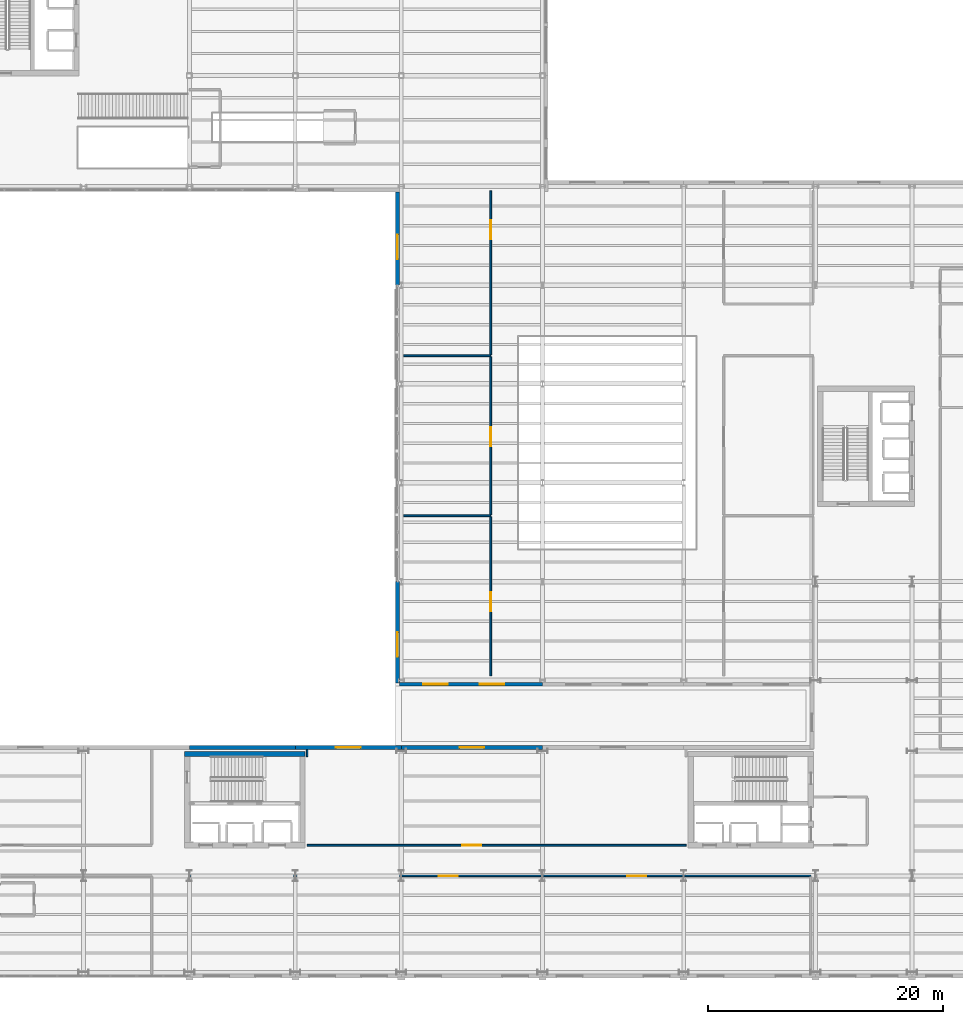
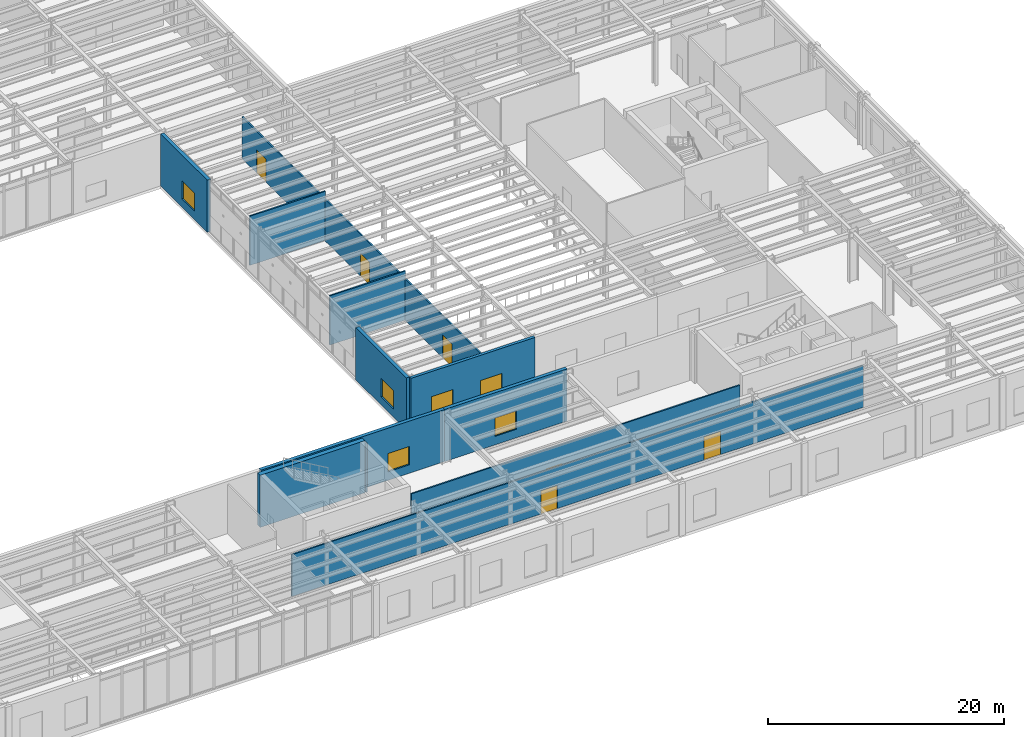
# One storey, part 77 of 98: 15 walls, 6 doors, 6 windows, 12 openings.
"""IFC4 building model written with IfcOpenShell, lengths in metres."""

from ifc_helpers import new_model, si_unit, direction, frame, frame_2d, origin, place, context, subcontext, project, spatial, rectangle, extrude, material, layer, layer_set, type_object, element, fill, save


model = new_model("IFC4")

# Units and contexts
model_context = context("Model", 3, precision=1e-05, world=origin(), true_north=direction((0.0, 1.0)))
body_context = subcontext(model_context, "Body", "Model", "MODEL_VIEW")
ifc_project = project(units=[si_unit("LENGTHUNIT", "METRE"), si_unit("AREAUNIT", "SQUARE_METRE"), si_unit("VOLUMEUNIT", "CUBIC_METRE"), si_unit("PLANEANGLEUNIT", "RADIAN"), si_unit("MASSUNIT", "GRAM", prefix="KILO")], contexts=[model_context])

# Site, building, storey
site_placement = place(None, origin())
site = spatial("IfcSite", under=ifc_project, at=site_placement, CompositionType="ELEMENT")
building_placement = place(site_placement, origin())
building = spatial("IfcBuilding", under=site, at=building_placement, Name="Sollismere Congress Hotel", CompositionType="ELEMENT")
storey_placement = place(building_placement, frame((0.0, 0.0, 5.39990234375)))
storey = spatial("IfcBuildingStorey", under=building, at=storey_placement, Name="L01", CompositionType="ELEMENT", Elevation=5.39990234375)

# Wall, openings, windows
ifc_material_1 = material(Name="Colorado Buff Sandstone Rainscreen on Insulated Backup", Category="masonry")
ifc_layer_1 = layer(ifc_material_1, 0.284912109375, Name="Colorado Buff Sandstone Rainscreen on Insulated Backup")
ifc_layer_set_1 = layer_set([ifc_layer_1], Name="Colorado Buff Sandstone Rainscreen on Insulated Backup")
wall_type_1 = type_object("IfcWallType", Name="WL-EXT285", PredefinedType="STANDARD", material=ifc_layer_set_1)
wall_1_placement = place(storey_placement, frame((111.85009765625, 24.489990234375, 0.0), z_axis=(0.0, 0.0, 1.0), x_axis=(1.0, 0.0, 0.0)))
wall_1 = element("IfcWall", 1, at=wall_1_placement, inside=storey, type_object=wall_type_1, Name="Exterior wall EW-L01-207", PredefinedType="STANDARD", context=body_context, shape_type="SweptSolid", body=[
    extrude(rectangle(XDim=12.14990234375, YDim=0.284912109375, at=frame_2d((6.074951171875, 0.0))), origin(), (0.0, 0.0, 1.0), 5.400146484375),
])
opening_1_placement = place(wall_1_placement, frame((2.0, 0.0, 0.89990234375)))
opening_1 = element("IfcOpeningElement", 2, at=opening_1_placement, cuts=wall_1, Name="Opening W-L01-172", PredefinedType="OPENING", context=body_context, shape_type="SweptSolid", body=[
    extrude(rectangle(XDim=2.10009765625, YDim=1.89990234375, at=frame_2d((1.050048828125, 0.949951171875))), frame((0.0, 0.15234375, 0.0), z_axis=(0.0, -1.0, 0.0), x_axis=(1.0, 0.0, 0.0)), (0.0, 0.0, 1.0), 0.304931640625),
])
opening_2_placement = place(wall_1_placement, frame((6.800048828125, 0.0, 0.89990234375)))
opening_2 = element("IfcOpeningElement", 3, at=opening_2_placement, cuts=wall_1, Name="Opening W-L01-173", PredefinedType="OPENING", context=body_context, shape_type="SweptSolid", body=[
    extrude(rectangle(XDim=2.10009765625, YDim=1.89990234375, at=frame_2d((1.050048828125, 0.949951171875))), frame((0.0, 0.15234375, 0.0), z_axis=(0.0, -1.0, 0.0), x_axis=(1.0, 0.0, 0.0)), (0.0, 0.0, 1.0), 0.304931640625),
])
ifc_material_2 = material(Name="Thermally Broken Bronze Aluminum & Low-E Glass", Category="aluminium")
window_type = type_object("IfcWindowType", Name="WN-P210x190", PartitioningType="SINGLE_PANEL", PredefinedType="WINDOW", material=ifc_material_2)
window_1_placement = place(opening_1_placement, origin())
window_1 = element("IfcWindow", 4, at=window_1_placement, inside=storey, type_object=window_type, Name="WIN-W-L01-172", OverallHeight=1.89990234375, OverallWidth=2.10009765625, PartitioningType="SINGLE_PANEL", PredefinedType="WINDOW", context=body_context, shape_type="SweptSolid", body=[
    extrude(rectangle(XDim=2.10009765625, YDim=1.89990234375, at=frame_2d((1.050048828125, 0.949951171875))), frame((0.0, 0.030029296875, 0.0), z_axis=(0.0, -1.0, 0.0), x_axis=(1.0, 0.0, 0.0)), (0.0, 0.0, 1.0), 0.06005859375),
])
fill(opening_1, window_1)
window_2_placement = place(opening_2_placement, origin())
window_2 = element("IfcWindow", 5, at=window_2_placement, inside=storey, type_object=window_type, Name="WIN-W-L01-173", OverallHeight=1.89990234375, OverallWidth=2.10009765625, PartitioningType="SINGLE_PANEL", PredefinedType="WINDOW", context=body_context, shape_type="SweptSolid", body=[
    extrude(rectangle(XDim=2.10009765625, YDim=1.89990234375, at=frame_2d((1.050048828125, 0.949951171875))), frame((0.0, 0.030029296875, 0.0), z_axis=(0.0, -1.0, 0.0), x_axis=(1.0, 0.0, 0.0)), (0.0, 0.0, 1.0), 0.06005859375),
])
fill(opening_2, window_2)

# Wall, opening, window
ifc_material_3 = material(Name="Colorado Buff Sandstone and Limestone Backup C40/50", Category="masonry")
ifc_layer_2 = layer(ifc_material_3, 0.340087890625, Name="Colorado Buff Sandstone and Limestone Backup C40/50")
ifc_layer_set_2 = layer_set([ifc_layer_2], Name="Colorado Buff Sandstone and Limestone Backup C40/50")
wall_type_2 = type_object("IfcWallType", Name="WL-EXT340", PredefinedType="STANDARD", material=ifc_layer_set_2)
wall_2_placement = place(storey_placement, frame((111.68994140625, 24.60009765625, 0.0), z_axis=(0.0, 0.0, 1.0), x_axis=(0.0, 1.0, 0.0)))
wall_2 = element("IfcWall", 6, at=wall_2_placement, inside=storey, type_object=wall_type_2, Name="Exterior wall EW-L01-205", PredefinedType="STANDARD", context=body_context, shape_type="SweptSolid", body=[
    extrude(rectangle(XDim=8.599853515625, YDim=0.340087890625, at=frame_2d((4.2998046875, 0.0))), origin(), (0.0, 0.0, 1.0), 5.400146484375),
])
opening_3_placement = place(wall_2_placement, frame((2.199951171875, 0.0, 0.85009765625)))
opening_3 = element("IfcOpeningElement", 7, at=opening_3_placement, cuts=wall_2, Name="Opening W-L01-170", PredefinedType="OPENING", context=body_context, shape_type="SweptSolid", body=[
    extrude(rectangle(XDim=2.10009765625, YDim=1.89990234375, at=frame_2d((1.050048828125, 0.949951171875))), frame((0.0, 0.179931640625, 0.0), z_axis=(0.0, -1.0, 0.0), x_axis=(1.0, 0.0, 0.0)), (0.0, 0.0, 1.0), 0.360107421875),
])
window_3_placement = place(opening_3_placement, origin())
window_3 = element("IfcWindow", 8, at=window_3_placement, inside=storey, type_object=window_type, Name="WIN-W-L01-170", OverallHeight=1.89990234375, OverallWidth=2.10009765625, PartitioningType="SINGLE_PANEL", PredefinedType="WINDOW", context=body_context, shape_type="SweptSolid", body=[
    extrude(rectangle(XDim=2.10009765625, YDim=1.89990234375, at=frame_2d((1.050048828125, 0.949951171875))), frame((0.0, 0.030029296875, 0.0), z_axis=(0.0, -1.0, 0.0), x_axis=(1.0, 0.0, 0.0)), (0.0, 0.0, 1.0), 0.06005859375),
])
fill(opening_3, window_3)

wall_3_placement = place(storey_placement, frame((111.68994140625, 58.39990234375, 0.0), z_axis=(0.0, 0.0, 1.0), x_axis=(0.0, 1.0, 0.0)))
wall_3 = element("IfcWall", 9, at=wall_3_placement, inside=storey, type_object=wall_type_2, Name="Exterior wall EW-L01-206", PredefinedType="STANDARD", context=body_context, shape_type="SweptSolid", body=[
    extrude(rectangle(XDim=7.918212890625, YDim=0.340087890625, at=frame_2d((3.958984375, 0.0))), origin(), (0.0, 0.0, 1.0), 5.400146484375),
])
opening_4_placement = place(wall_3_placement, frame((2.199951171875, 0.0, 0.85009765625)))
opening_4 = element("IfcOpeningElement", 10, at=opening_4_placement, cuts=wall_3, Name="Opening W-L01-171", PredefinedType="OPENING", context=body_context, shape_type="SweptSolid", body=[
    extrude(rectangle(XDim=2.10009765625, YDim=1.89990234375, at=frame_2d((1.050048828125, 0.949951171875))), frame((0.0, 0.179931640625, 0.0), z_axis=(0.0, -1.0, 0.0), x_axis=(1.0, 0.0, 0.0)), (0.0, 0.0, 1.0), 0.360107421875),
])
window_4_placement = place(opening_4_placement, origin())
window_4 = element("IfcWindow", 11, at=window_4_placement, inside=storey, type_object=window_type, Name="WIN-W-L01-171", OverallHeight=1.89990234375, OverallWidth=2.10009765625, PartitioningType="SINGLE_PANEL", PredefinedType="WINDOW", context=body_context, shape_type="SweptSolid", body=[
    extrude(rectangle(XDim=2.10009765625, YDim=1.89990234375, at=frame_2d((1.050048828125, 0.949951171875))), frame((0.0, 0.030029296875, 0.0), z_axis=(0.0, -1.0, 0.0), x_axis=(1.0, 0.0, 0.0)), (0.0, 0.0, 1.0), 0.06005859375),
])
fill(opening_4, window_4)

# Wall
wall_4_placement = place(storey_placement, frame((103.0, 19.110107421875, 0.0), z_axis=(0.0, 0.0, 1.0), x_axis=(-1.0, 0.0, 0.0)))
element("IfcWall", 12, at=wall_4_placement, inside=storey, type_object=wall_type_2, Name="Exterior wall EW-L01-315", PredefinedType="STANDARD", context=body_context, shape_type="SweptSolid", body=[
    extrude(rectangle(XDim=9.0, YDim=0.340087890625, at=frame_2d((4.5, 0.0))), origin(), (0.0, 0.0, 1.0), 5.400146484375),
])

# Wall, opening, window
wall_5_placement = place(storey_placement, frame((112.0, 19.110107421875, 0.0), z_axis=(0.0, 0.0, 1.0), x_axis=(-1.0, 0.0, 0.0)))
wall_5 = element("IfcWall", 13, at=wall_5_placement, inside=storey, type_object=wall_type_2, Name="Exterior wall EW-L01-316", PredefinedType="STANDARD", context=body_context, shape_type="SweptSolid", body=[
    extrude(rectangle(XDim=9.0, YDim=0.340087890625, at=frame_2d((4.5, 0.0))), origin(), (0.0, 0.0, 1.0), 5.400146484375),
])
opening_5_placement = place(wall_5_placement, frame((3.449951171875, 0.0, 0.8798828125)))
opening_5 = element("IfcOpeningElement", 14, at=opening_5_placement, cuts=wall_5, Name="Opening W-L01-252", PredefinedType="OPENING", context=body_context, shape_type="SweptSolid", body=[
    extrude(rectangle(XDim=2.10009765625, YDim=1.89990234375, at=frame_2d((1.050048828125, 0.949951171875))), frame((0.0, 0.179931640625, 0.0), z_axis=(0.0, -1.0, 0.0), x_axis=(1.0, 0.0, 0.0)), (0.0, 0.0, 1.0), 0.360107421875),
])
window_5_placement = place(opening_5_placement, origin())
window_5 = element("IfcWindow", 15, at=window_5_placement, inside=storey, type_object=window_type, Name="WIN-W-L01-252", OverallHeight=1.89990234375, OverallWidth=2.10009765625, PartitioningType="SINGLE_PANEL", PredefinedType="WINDOW", context=body_context, shape_type="SweptSolid", body=[
    extrude(rectangle(XDim=2.10009765625, YDim=1.89990234375, at=frame_2d((1.050048828125, 0.949951171875))), frame((0.0, 0.030029296875, 0.0), z_axis=(0.0, -1.0, 0.0), x_axis=(1.0, 0.0, 0.0)), (0.0, 0.0, 1.0), 0.06005859375),
])
fill(opening_5, window_5)

wall_6_placement = place(storey_placement, frame((124.0, 19.110107421875, 0.0), z_axis=(0.0, 0.0, 1.0), x_axis=(-1.0, 0.0, 0.0)))
wall_6 = element("IfcWall", 16, at=wall_6_placement, inside=storey, type_object=wall_type_2, Name="Exterior wall EW-L01-317", PredefinedType="STANDARD", context=body_context, shape_type="SweptSolid", body=[
    extrude(rectangle(XDim=12.0, YDim=0.340087890625, at=frame_2d((6.0, 0.0))), origin(), (0.0, 0.0, 1.0), 5.400146484375),
])
opening_6_placement = place(wall_6_placement, frame((4.949951171875, 0.0, 0.8798828125)))
opening_6 = element("IfcOpeningElement", 17, at=opening_6_placement, cuts=wall_6, Name="Opening W-L01-253", PredefinedType="OPENING", context=body_context, shape_type="SweptSolid", body=[
    extrude(rectangle(XDim=2.10009765625, YDim=1.89990234375, at=frame_2d((1.050048828125, 0.949951171875))), frame((0.0, 0.179931640625, 0.0), z_axis=(0.0, -1.0, 0.0), x_axis=(1.0, 0.0, 0.0)), (0.0, 0.0, 1.0), 0.360107421875),
])
window_6_placement = place(opening_6_placement, origin())
window_6 = element("IfcWindow", 18, at=window_6_placement, inside=storey, type_object=window_type, Name="WIN-W-L01-253", OverallHeight=1.89990234375, OverallWidth=2.10009765625, PartitioningType="SINGLE_PANEL", PredefinedType="WINDOW", context=body_context, shape_type="SweptSolid", body=[
    extrude(rectangle(XDim=2.10009765625, YDim=1.89990234375, at=frame_2d((1.050048828125, 0.949951171875))), frame((0.0, 0.030029296875, 0.0), z_axis=(0.0, -1.0, 0.0), x_axis=(1.0, 0.0, 0.0)), (0.0, 0.0, 1.0), 0.06005859375),
])
fill(opening_6, window_6)

# Wall, openings, doors
ifc_material_4 = material(Name="Fire-Rated Gypsum Partition")
ifc_layer_3 = layer(ifc_material_4, 0.139892578125, Name="Fire-Rated Gypsum Partition")
ifc_layer_set_3 = layer_set([ifc_layer_3], Name="Fire-Rated Gypsum Partition")
wall_type_3 = type_object("IfcWallType", Name="WL-PRT140R", PredefinedType="PARTITIONING", material=ifc_layer_set_3)
wall_7_placement = place(storey_placement, frame((90.800048828125, 8.199951171875, 0.0), z_axis=(0.0, 0.0, 1.0), x_axis=(1.0, 0.0, 0.0)))
wall_7 = element("IfcWall", 19, at=wall_7_placement, inside=storey, type_object=wall_type_3, Name="Interior wall IW-L01-0848", PredefinedType="PARTITIONING", context=body_context, shape_type="SweptSolid", body=[
    extrude(rectangle(XDim=56.0, YDim=0.139892578125, at=frame_2d((28.0, 0.0))), origin(), (0.0, 0.0, 1.0), 4.3330078125),
])
opening_7_placement = place(wall_7_placement, frame((24.39990234375, 0.0, 0.0)))
opening_7 = element("IfcOpeningElement", 20, at=opening_7_placement, cuts=wall_7, Name="Opening D-L01-0296", PredefinedType="OPENING", context=body_context, shape_type="SweptSolid", body=[
    extrude(rectangle(XDim=1.60009765625, YDim=2.39990234375, at=frame_2d((0.800048828125, 1.199951171875))), frame((0.0, 0.079833984375, 0.0), z_axis=(0.0, -1.0, 0.0), x_axis=(1.0, 0.0, 0.0)), (0.0, 0.0, 1.0), 0.159912109375),
])
opening_8_placement = place(wall_7_placement, frame((40.39990234375, 0.0, 0.0)))
opening_8 = element("IfcOpeningElement", 21, at=opening_8_placement, cuts=wall_7, Name="Opening D-L01-0297", PredefinedType="OPENING", context=body_context, shape_type="SweptSolid", body=[
    extrude(rectangle(XDim=1.60009765625, YDim=2.39990234375, at=frame_2d((0.800048828125, 1.199951171875))), frame((0.0, 0.079833984375, 0.0), z_axis=(0.0, -1.0, 0.0), x_axis=(1.0, 0.0, 0.0)), (0.0, 0.0, 1.0), 0.159912109375),
])
ifc_material_5 = material(Name="Acoustic Oak Double Meeting Door")
door_type = type_object("IfcDoorType", Name="DR-MT160", OperationType="NOTDEFINED", PredefinedType="DOOR", material=ifc_material_5)
door_1_placement = place(opening_7_placement, origin())
door_1 = element("IfcDoor", 22, at=door_1_placement, inside=storey, type_object=door_type, Name="Interior door D-L01-0296", OperationType="DOUBLE_DOOR_SINGLE_SWING", OverallHeight=2.39990234375, OverallWidth=1.60009765625, PredefinedType="DOOR", context=body_context, shape_type="SweptSolid", body=[
    extrude(rectangle(XDim=1.60009765625, YDim=2.39990234375, at=frame_2d((0.800048828125, 1.199951171875))), frame((0.0, 0.02490234375, 0.0), z_axis=(0.0, -1.0, 0.0), x_axis=(1.0, 0.0, 0.0)), (0.0, 0.0, 1.0), 0.050048828125),
])
fill(opening_7, door_1)
door_2_placement = place(opening_8_placement, origin())
door_2 = element("IfcDoor", 23, at=door_2_placement, inside=storey, type_object=door_type, Name="Interior door D-L01-0297", OperationType="DOUBLE_DOOR_SINGLE_SWING", OverallHeight=2.39990234375, OverallWidth=1.60009765625, PredefinedType="DOOR", context=body_context, shape_type="SweptSolid", body=[
    extrude(rectangle(XDim=1.60009765625, YDim=2.39990234375, at=frame_2d((0.800048828125, 1.199951171875))), frame((0.0, 0.02490234375, 0.0), z_axis=(0.0, -1.0, 0.0), x_axis=(1.0, 0.0, 0.0)), (0.0, 0.0, 1.0), 0.050048828125),
])
fill(opening_8, door_2)

# Wall, opening, door
wall_8_placement = place(storey_placement, frame((104.0, 10.800048828125, 0.0), z_axis=(0.0, 0.0, 1.0), x_axis=(1.0, 0.0, 0.0)))
wall_8 = element("IfcWall", 24, at=wall_8_placement, inside=storey, type_object=wall_type_3, Name="Interior wall IW-L01-0850", PredefinedType="PARTITIONING", context=body_context, shape_type="SweptSolid", body=[
    extrude(rectangle(XDim=32.199951171875, YDim=0.139892578125, at=frame_2d((16.10009765625, 0.0))), origin(), (0.0, 0.0, 1.0), 4.424072265625),
])
opening_9_placement = place(wall_8_placement, frame((13.199951171875, 0.0, 0.0)))
opening_9 = element("IfcOpeningElement", 25, at=opening_9_placement, cuts=wall_8, Name="Opening D-L01-0299", PredefinedType="OPENING", context=body_context, shape_type="SweptSolid", body=[
    extrude(rectangle(XDim=1.60009765625, YDim=2.39990234375, at=frame_2d((0.800048828125, 1.199951171875))), frame((0.0, 0.079833984375, 0.0), z_axis=(0.0, -1.0, 0.0), x_axis=(1.0, 0.0, 0.0)), (0.0, 0.0, 1.0), 0.159912109375),
])
door_3_placement = place(opening_9_placement, origin())
door_3 = element("IfcDoor", 26, at=door_3_placement, inside=storey, type_object=door_type, Name="Interior door D-L01-0299", OperationType="DOUBLE_DOOR_SINGLE_SWING", OverallHeight=2.39990234375, OverallWidth=1.60009765625, PredefinedType="DOOR", context=body_context, shape_type="SweptSolid", body=[
    extrude(rectangle(XDim=1.60009765625, YDim=2.39990234375, at=frame_2d((0.800048828125, 1.199951171875))), frame((0.0, 0.02490234375, 0.0), z_axis=(0.0, -1.0, 0.0), x_axis=(1.0, 0.0, 0.0)), (0.0, 0.0, 1.0), 0.050048828125),
])
fill(opening_9, door_3)

# Walls
for number, where, z_axis, x_axis, name in (
    (27, (112.199951171875, 38.800048828125, 0.0), (0.0, 0.0, 1.0), (1.0, 0.0, 0.0), "Interior wall IW-L01-0854"),
    (28, (112.199951171875, 52.39990234375, 0.0), (0.0, 0.0, 1.0), (1.0, 0.0, 0.0), "Interior wall IW-L01-0857"),
):
    element("IfcWall", number, at=place(storey_placement, frame(where, z_axis=z_axis, x_axis=x_axis)), inside=storey, type_object=wall_type_3, Name=name, PredefinedType="PARTITIONING", context=body_context, shape_type="SweptSolid", body=[
        extrude(rectangle(XDim=7.400146484375, YDim=0.139892578125, at=frame_2d((3.7001953125, 0.0))), origin(), (0.0, 0.0, 1.0), 5.09521484375),
    ])
wall_9_placement = place(storey_placement, frame((104.0, 18.324951171875, 0.0), z_axis=(0.0, 0.0, 1.0), x_axis=(0.0, 1.0, 0.0)))
element("IfcWall", 29, at=wall_9_placement, inside=storey, type_object=wall_type_3, Name="Interior wall IW-L01-0918", PredefinedType="PARTITIONING", context=body_context, shape_type="SweptSolid", body=[
    extrude(rectangle(XDim=0.60009765625, YDim=0.139892578125, at=frame_2d((0.300048828125, 0.0))), origin(), (0.0, 0.0, 1.0), 5.09521484375),
])

# Wall, opening, door
wall_10_placement = place(storey_placement, frame((119.60009765625, 25.199951171875, 0.0), z_axis=(0.0, 0.0, 1.0), x_axis=(0.0, 1.0, 0.0)))
wall_10 = element("IfcWall", 30, at=wall_10_placement, inside=storey, type_object=wall_type_3, Name="Interior wall IW-L01-0921", PredefinedType="PARTITIONING", context=body_context, shape_type="SweptSolid", body=[
    extrude(rectangle(XDim=13.51806640625, YDim=0.139892578125, at=frame_2d((6.759033203125, 0.0))), origin(), (0.0, 0.0, 1.0), 4.3330078125),
])
opening_10_placement = place(wall_10_placement, frame((5.5, 0.0, 0.0)))
opening_10 = element("IfcOpeningElement", 31, at=opening_10_placement, cuts=wall_10, Name="Opening D-L01-0318", PredefinedType="OPENING", context=body_context, shape_type="SweptSolid", body=[
    extrude(rectangle(XDim=1.60009765625, YDim=2.39990234375, at=frame_2d((0.800048828125, 1.199951171875))), frame((0.0, 0.079833984375, 0.0), z_axis=(0.0, -1.0, 0.0), x_axis=(1.0, 0.0, 0.0)), (0.0, 0.0, 1.0), 0.159912109375),
])
door_4_placement = place(opening_10_placement, origin())
door_4 = element("IfcDoor", 32, at=door_4_placement, inside=storey, type_object=door_type, Name="Interior door D-L01-0318", OperationType="DOUBLE_DOOR_SINGLE_SWING", OverallHeight=2.39990234375, OverallWidth=1.60009765625, PredefinedType="DOOR", context=body_context, shape_type="SweptSolid", body=[
    extrude(rectangle(XDim=1.60009765625, YDim=2.39990234375, at=frame_2d((0.800048828125, 1.199951171875))), frame((0.0, 0.02490234375, 0.0), z_axis=(0.0, -1.0, 0.0), x_axis=(1.0, 0.0, 0.0)), (0.0, 0.0, 1.0), 0.050048828125),
])
fill(opening_10, door_4)

wall_11_placement = place(storey_placement, frame((119.60009765625, 38.882080078125, 0.0), z_axis=(0.0, 0.0, 1.0), x_axis=(0.0, 1.0, 0.0)))
wall_11 = element("IfcWall", 33, at=wall_11_placement, inside=storey, type_object=wall_type_3, Name="Interior wall IW-L01-0922", PredefinedType="PARTITIONING", context=body_context, shape_type="SweptSolid", body=[
    extrude(rectangle(XDim=13.43603515625, YDim=0.139892578125, at=frame_2d((6.718017578125, 0.0))), origin(), (0.0, 0.0, 1.0), 4.3330078125),
])
opening_11_placement = place(wall_11_placement, frame((5.818115234375, 0.0, 0.0)))
opening_11 = element("IfcOpeningElement", 34, at=opening_11_placement, cuts=wall_11, Name="Opening D-L01-0319", PredefinedType="OPENING", context=body_context, shape_type="SweptSolid", body=[
    extrude(rectangle(XDim=1.60009765625, YDim=2.39990234375, at=frame_2d((0.800048828125, 1.199951171875))), frame((0.0, 0.079833984375, 0.0), z_axis=(0.0, -1.0, 0.0), x_axis=(1.0, 0.0, 0.0)), (0.0, 0.0, 1.0), 0.159912109375),
])
door_5_placement = place(opening_11_placement, origin())
door_5 = element("IfcDoor", 35, at=door_5_placement, inside=storey, type_object=door_type, Name="Interior door D-L01-0319", OperationType="DOUBLE_DOOR_SINGLE_SWING", OverallHeight=2.39990234375, OverallWidth=1.60009765625, PredefinedType="DOOR", context=body_context, shape_type="SweptSolid", body=[
    extrude(rectangle(XDim=1.60009765625, YDim=2.39990234375, at=frame_2d((0.800048828125, 1.199951171875))), frame((0.0, 0.02490234375, 0.0), z_axis=(0.0, -1.0, 0.0), x_axis=(1.0, 0.0, 0.0)), (0.0, 0.0, 1.0), 0.050048828125),
])
fill(opening_11, door_5)

wall_12_placement = place(storey_placement, frame((119.60009765625, 52.48193359375, 0.0), z_axis=(0.0, 0.0, 1.0), x_axis=(0.0, 1.0, 0.0)))
wall_12 = element("IfcWall", 36, at=wall_12_placement, inside=storey, type_object=wall_type_3, Name="Interior wall IW-L01-0923", PredefinedType="PARTITIONING", context=body_context, shape_type="SweptSolid", body=[
    extrude(rectangle(XDim=13.91796875, YDim=0.139892578125, at=frame_2d((6.958984375, 0.0))), origin(), (0.0, 0.0, 1.0), 4.3330078125),
])
opening_12_placement = place(wall_12_placement, frame((9.818115234375, 0.0, 0.0)))
opening_12 = element("IfcOpeningElement", 37, at=opening_12_placement, cuts=wall_12, Name="Opening D-L01-0320", PredefinedType="OPENING", context=body_context, shape_type="SweptSolid", body=[
    extrude(rectangle(XDim=1.60009765625, YDim=2.39990234375, at=frame_2d((0.800048828125, 1.199951171875))), frame((0.0, 0.079833984375, 0.0), z_axis=(0.0, -1.0, 0.0), x_axis=(1.0, 0.0, 0.0)), (0.0, 0.0, 1.0), 0.159912109375),
])
door_6_placement = place(opening_12_placement, origin())
door_6 = element("IfcDoor", 38, at=door_6_placement, inside=storey, type_object=door_type, Name="Interior door D-L01-0320", OperationType="DOUBLE_DOOR_SINGLE_SWING", OverallHeight=2.39990234375, OverallWidth=1.60009765625, PredefinedType="DOOR", context=body_context, shape_type="SweptSolid", body=[
    extrude(rectangle(XDim=1.60009765625, YDim=2.39990234375, at=frame_2d((0.800048828125, 1.199951171875))), frame((0.0, 0.02490234375, 0.0), z_axis=(0.0, -1.0, 0.0), x_axis=(1.0, 0.0, 0.0)), (0.0, 0.0, 1.0), 0.050048828125),
])
fill(opening_12, door_6)

# Wall
ifc_material_6 = material(Name="Concrete C50/60", Category="concrete")
ifc_layer_4 = layer(ifc_material_6, 0.449951171875, Name="Concrete C50/60")
ifc_layer_set_4 = layer_set([ifc_layer_4], Name="Concrete C50/60")
wall_type_4 = type_object("IfcWallType", Name="WL-SHR450", PredefinedType="SHEAR", material=ifc_layer_set_4)
wall_13_placement = place(storey_placement, frame((103.824951171875, 18.550048828125, 0.0), z_axis=(0.0, 0.0, 1.0), x_axis=(-1.0, 0.0, 0.0)))
element("IfcWall", 39, at=wall_13_placement, inside=storey, type_object=wall_type_4, Name="Interior wall IW-L01-0236", PredefinedType="SHEAR", context=body_context, shape_type="SweptSolid", body=[
    extrude(rectangle(XDim=10.25, YDim=0.449951171875, at=frame_2d((5.125, 0.0))), origin(), (0.0, 0.0, 1.0), 5.400146484375),
])

save(model, "model.ifc")
